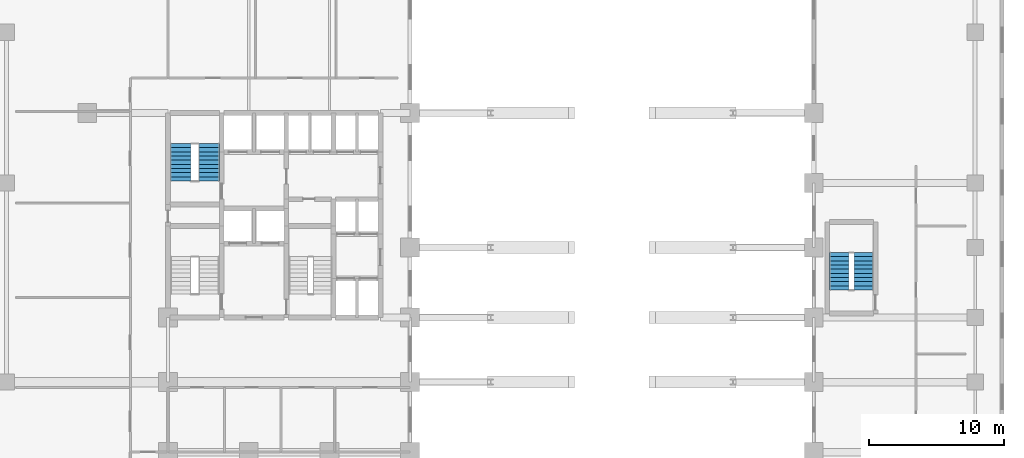
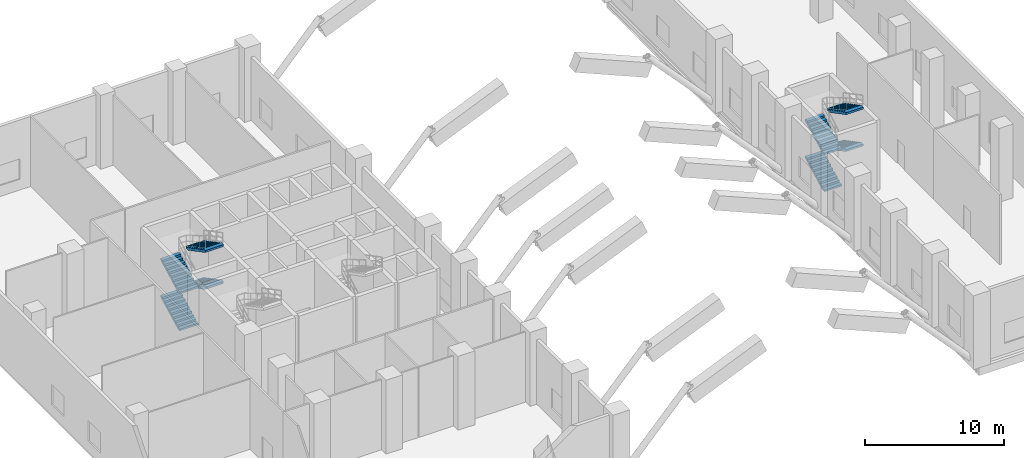
# One storey, part 8 of 10: 8 stair flights, 2 elements without a shape of their own.
"""IFC4 building model written with IfcOpenShell, lengths in metres."""

from ifc_helpers import new_model, si_unit, direction, frame, origin, place, context, subcontext, project, spatial, polyline, outline, extrude, material, type_object, element, aggregate, save


model = new_model("IFC4")

# Units and contexts
model_context = context("Model", 3, precision=1e-05, world=origin(), true_north=direction((0.0, 1.0)))
body_context = subcontext(model_context, "Body", "Model", "MODEL_VIEW")
ifc_project = project(units=[si_unit("LENGTHUNIT", "METRE"), si_unit("AREAUNIT", "SQUARE_METRE"), si_unit("VOLUMEUNIT", "CUBIC_METRE"), si_unit("PLANEANGLEUNIT", "RADIAN"), si_unit("MASSUNIT", "GRAM", prefix="KILO")], contexts=[model_context])

# Site, building, storey
site_placement = place(None, origin())
site = spatial("IfcSite", under=ifc_project, at=site_placement, CompositionType="ELEMENT")
building_placement = place(site_placement, origin())
building = spatial("IfcBuilding", under=site, at=building_placement, Name="Keshet Zoharim Tower", CompositionType="ELEMENT")
storey_placement = place(building_placement, frame((0.0, 0.0, 6.5)))
storey = spatial("IfcBuildingStorey", under=building, at=storey_placement, Name="L01", CompositionType="ELEMENT", Elevation=6.5)

# Stair, stair flights
ifc_material = material(Name="Concrete C50/60", Category="concrete")
stair_type = type_object("IfcStairType", Name="STR-POD-135", PredefinedType="HALF_TURN_STAIR", material=ifc_material)
stair_1_placement = place(storey_placement, origin())
stair_1 = element("IfcStair", 1, at=stair_1_placement, inside=storey, type_object=stair_type, Name="L01 Enclosed Exit Stair ST-02", PredefinedType="HALF_TURN_STAIR")
stair_flight_type_1 = type_object("IfcStairFlightType", Name="FLT-PRE-135", PredefinedType="STRAIGHT", material=ifc_material)
stair_flight_1_placement = place(storey_placement, frame((15.945068359375, 32.840087890625, 0.0), z_axis=(0.0, 0.0, 1.0), x_axis=(0.0, 1.0, 0.0)))
stair_flight_1 = element("IfcStairFlight", 2, at=stair_flight_1_placement, type_object=stair_flight_type_1, Name="ST-02 flight 1", NumberOfRisers=10, NumberOfTreads=9, PredefinedType="STRAIGHT", RiserHeight=0.1625, TreadLength=0.31, context=body_context, shape_type="SweptSolid", body=[
    extrude(outline(polyline([(0.0, 0.0), (0.0, 0.16259765625), (0.31005859375, 0.16259765625), (0.31005859375, 0.324951171875), (0.6201171875, 0.324951171875), (0.6201171875, 0.487548828125), (0.929931640625, 0.487548828125), (0.929931640625, 0.64990234375), (1.239990234375, 0.64990234375), (1.239990234375, 0.8125), (1.550048828125, 0.8125), (1.550048828125, 0.97509765625), (1.860107421875, 0.97509765625), (1.860107421875, 1.137451171875), (2.169921875, 1.137451171875), (2.169921875, 1.300048828125), (2.47998046875, 1.300048828125), (2.47998046875, 1.46240234375), (2.7900390625, 1.46240234375), (2.7900390625, 1.625), (2.7900390625, 1.281982421875), (0.344482421875, 0.0), (0.0, 0.0)])), frame((0.0, 0.76513671875, 0.0), z_axis=(0.0, -1.0, 0.0), x_axis=(1.0, 0.0, 0.0)), (0.0, 0.0, 1.0), 1.530029296875),
])
stair_flight_2_placement = place(storey_placement, frame((18.054931640625, 35.6298828125, 1.625), z_axis=(0.0, 0.0, 1.0), x_axis=(0.0, -1.0, 0.0)))
stair_flight_2 = element("IfcStairFlight", 3, at=stair_flight_2_placement, type_object=stair_flight_type_1, Name="ST-02 flight 2", NumberOfRisers=10, NumberOfTreads=9, PredefinedType="STRAIGHT", RiserHeight=0.1625, TreadLength=0.31, context=body_context, shape_type="SweptSolid", body=[
    extrude(outline(polyline([(0.0, 0.0), (0.0, 0.16259765625), (0.31005859375, 0.16259765625), (0.31005859375, 0.324951171875), (0.6201171875, 0.324951171875), (0.6201171875, 0.487548828125), (0.929931640625, 0.487548828125), (0.929931640625, 0.64990234375), (1.239990234375, 0.64990234375), (1.239990234375, 0.8125), (1.550048828125, 0.8125), (1.550048828125, 0.97509765625), (1.860107421875, 0.97509765625), (1.860107421875, 1.137451171875), (2.169921875, 1.137451171875), (2.169921875, 1.300048828125), (2.47998046875, 1.300048828125), (2.47998046875, 1.46240234375), (2.7900390625, 1.46240234375), (2.7900390625, 1.625), (2.7900390625, 1.281982421875), (0.344482421875, 0.0), (0.0, 0.0)])), frame((0.0, 0.76513671875, 0.0), z_axis=(0.0, -1.0, 0.0), x_axis=(1.0, 0.0, 0.0)), (0.0, 0.0, 1.0), 1.530029296875),
])
stair_flight_3_placement = place(storey_placement, frame((15.945068359375, 32.840087890625, 3.25), z_axis=(0.0, 0.0, 1.0), x_axis=(0.0, 1.0, 0.0)))
stair_flight_3 = element("IfcStairFlight", 4, at=stair_flight_3_placement, type_object=stair_flight_type_1, Name="ST-02 flight 3", NumberOfRisers=10, NumberOfTreads=9, PredefinedType="STRAIGHT", RiserHeight=0.1625, TreadLength=0.31, context=body_context, shape_type="SweptSolid", body=[
    extrude(outline(polyline([(0.0, 0.0), (0.0, 0.16259765625), (0.31005859375, 0.16259765625), (0.31005859375, 0.324951171875), (0.6201171875, 0.324951171875), (0.6201171875, 0.487548828125), (0.929931640625, 0.487548828125), (0.929931640625, 0.64990234375), (1.239990234375, 0.64990234375), (1.239990234375, 0.8125), (1.550048828125, 0.8125), (1.550048828125, 0.97509765625), (1.860107421875, 0.97509765625), (1.860107421875, 1.137451171875), (2.169921875, 1.137451171875), (2.169921875, 1.300048828125), (2.47998046875, 1.300048828125), (2.47998046875, 1.46240234375), (2.7900390625, 1.46240234375), (2.7900390625, 1.625), (2.7900390625, 1.281982421875), (0.344482421875, 0.0), (0.0, 0.0)])), frame((0.0, 0.76513671875, 0.0), z_axis=(0.0, -1.0, 0.0), x_axis=(1.0, 0.0, 0.0)), (0.0, 0.0, 1.0), 1.530029296875),
])
stair_flight_4_placement = place(storey_placement, frame((18.054931640625, 35.6298828125, 4.875), z_axis=(0.0, 0.0, 1.0), x_axis=(0.0, -1.0, 0.0)))
stair_flight_4 = element("IfcStairFlight", 5, at=stair_flight_4_placement, type_object=stair_flight_type_1, Name="ST-02 flight 4", NumberOfRisers=10, NumberOfTreads=9, PredefinedType="STRAIGHT", RiserHeight=0.1625, TreadLength=0.31, context=body_context, shape_type="SweptSolid", body=[
    extrude(outline(polyline([(0.0, 0.0), (0.0, 0.16259765625), (0.31005859375, 0.16259765625), (0.31005859375, 0.324951171875), (0.6201171875, 0.324951171875), (0.6201171875, 0.487548828125), (0.929931640625, 0.487548828125), (0.929931640625, 0.64990234375), (1.239990234375, 0.64990234375), (1.239990234375, 0.8125), (1.550048828125, 0.8125), (1.550048828125, 0.97509765625), (1.860107421875, 0.97509765625), (1.860107421875, 1.137451171875), (2.169921875, 1.137451171875), (2.169921875, 1.300048828125), (2.47998046875, 1.300048828125), (2.47998046875, 1.46240234375), (2.7900390625, 1.46240234375), (2.7900390625, 1.625), (2.7900390625, 1.281982421875), (0.344482421875, 0.0), (0.0, 0.0)])), frame((0.0, 0.76513671875, 0.0), z_axis=(0.0, -1.0, 0.0), x_axis=(1.0, 0.0, 0.0)), (0.0, 0.0, 1.0), 1.530029296875),
])
aggregate(stair_1, [stair_flight_1, stair_flight_2, stair_flight_3, stair_flight_4])

stair_2_placement = place(storey_placement, origin())
stair_2 = element("IfcStair", 6, at=stair_2_placement, inside=storey, type_object=stair_type, Name="L01 Enclosed Exit Stair ST-04", PredefinedType="HALF_TURN_STAIR")
stair_flight_type_2 = type_object("IfcStairFlightType", Name="FLT-PRE-144", PredefinedType="STRAIGHT", material=ifc_material)
stair_flight_5_placement = place(storey_placement, frame((64.89990234375, 24.739990234375, 0.0), z_axis=(0.0, 0.0, 1.0), x_axis=(0.0, 1.0, 0.0)))
stair_flight_5 = element("IfcStairFlight", 7, at=stair_flight_5_placement, type_object=stair_flight_type_2, Name="ST-04 flight 1", NumberOfRisers=10, NumberOfTreads=9, PredefinedType="STRAIGHT", RiserHeight=0.1625, TreadLength=0.31, context=body_context, shape_type="SweptSolid", body=[
    extrude(outline(polyline([(0.0, 0.0), (0.0, 0.16259765625), (0.31005859375, 0.16259765625), (0.31005859375, 0.324951171875), (0.6201171875, 0.324951171875), (0.6201171875, 0.487548828125), (0.929931640625, 0.487548828125), (0.929931640625, 0.64990234375), (1.239990234375, 0.64990234375), (1.239990234375, 0.8125), (1.550048828125, 0.8125), (1.550048828125, 0.97509765625), (1.860107421875, 0.97509765625), (1.860107421875, 1.137451171875), (2.169921875, 1.137451171875), (2.169921875, 1.300048828125), (2.47998046875, 1.300048828125), (2.47998046875, 1.46240234375), (2.7900390625, 1.46240234375), (2.7900390625, 1.625), (2.7900390625, 1.281982421875), (0.344482421875, 0.0), (0.0, 0.0)])), frame((0.0, 0.719970703125, 0.0), z_axis=(0.0, -1.0, 0.0), x_axis=(1.0, 0.0, 0.0)), (0.0, 0.0, 1.0), 1.43994140625),
])
stair_flight_6_placement = place(storey_placement, frame((66.699951171875, 27.530029296875, 1.625), z_axis=(0.0, 0.0, 1.0), x_axis=(0.0, -1.0, 0.0)))
stair_flight_6 = element("IfcStairFlight", 8, at=stair_flight_6_placement, type_object=stair_flight_type_2, Name="ST-04 flight 2", NumberOfRisers=10, NumberOfTreads=9, PredefinedType="STRAIGHT", RiserHeight=0.1625, TreadLength=0.31, context=body_context, shape_type="SweptSolid", body=[
    extrude(outline(polyline([(0.0, 0.0), (0.0, 0.16259765625), (0.31005859375, 0.16259765625), (0.31005859375, 0.324951171875), (0.6201171875, 0.324951171875), (0.6201171875, 0.487548828125), (0.929931640625, 0.487548828125), (0.929931640625, 0.64990234375), (1.239990234375, 0.64990234375), (1.239990234375, 0.8125), (1.550048828125, 0.8125), (1.550048828125, 0.97509765625), (1.860107421875, 0.97509765625), (1.860107421875, 1.137451171875), (2.169921875, 1.137451171875), (2.169921875, 1.300048828125), (2.47998046875, 1.300048828125), (2.47998046875, 1.46240234375), (2.7900390625, 1.46240234375), (2.7900390625, 1.625), (2.7900390625, 1.281982421875), (0.344482421875, 0.0), (0.0, 0.0)])), frame((0.0, 0.719970703125, 0.0), z_axis=(0.0, -1.0, 0.0), x_axis=(1.0, 0.0, 0.0)), (0.0, 0.0, 1.0), 1.43994140625),
])
stair_flight_7_placement = place(storey_placement, frame((64.89990234375, 24.739990234375, 3.25), z_axis=(0.0, 0.0, 1.0), x_axis=(0.0, 1.0, 0.0)))
stair_flight_7 = element("IfcStairFlight", 9, at=stair_flight_7_placement, type_object=stair_flight_type_2, Name="ST-04 flight 3", NumberOfRisers=10, NumberOfTreads=9, PredefinedType="STRAIGHT", RiserHeight=0.1625, TreadLength=0.31, context=body_context, shape_type="SweptSolid", body=[
    extrude(outline(polyline([(0.0, 0.0), (0.0, 0.16259765625), (0.31005859375, 0.16259765625), (0.31005859375, 0.324951171875), (0.6201171875, 0.324951171875), (0.6201171875, 0.487548828125), (0.929931640625, 0.487548828125), (0.929931640625, 0.64990234375), (1.239990234375, 0.64990234375), (1.239990234375, 0.8125), (1.550048828125, 0.8125), (1.550048828125, 0.97509765625), (1.860107421875, 0.97509765625), (1.860107421875, 1.137451171875), (2.169921875, 1.137451171875), (2.169921875, 1.300048828125), (2.47998046875, 1.300048828125), (2.47998046875, 1.46240234375), (2.7900390625, 1.46240234375), (2.7900390625, 1.625), (2.7900390625, 1.281982421875), (0.344482421875, 0.0), (0.0, 0.0)])), frame((0.0, 0.719970703125, 0.0), z_axis=(0.0, -1.0, 0.0), x_axis=(1.0, 0.0, 0.0)), (0.0, 0.0, 1.0), 1.43994140625),
])
stair_flight_8_placement = place(storey_placement, frame((66.699951171875, 27.530029296875, 4.875), z_axis=(0.0, 0.0, 1.0), x_axis=(0.0, -1.0, 0.0)))
stair_flight_8 = element("IfcStairFlight", 10, at=stair_flight_8_placement, type_object=stair_flight_type_2, Name="ST-04 flight 4", NumberOfRisers=10, NumberOfTreads=9, PredefinedType="STRAIGHT", RiserHeight=0.1625, TreadLength=0.31, context=body_context, shape_type="SweptSolid", body=[
    extrude(outline(polyline([(0.0, 0.0), (0.0, 0.16259765625), (0.31005859375, 0.16259765625), (0.31005859375, 0.324951171875), (0.6201171875, 0.324951171875), (0.6201171875, 0.487548828125), (0.929931640625, 0.487548828125), (0.929931640625, 0.64990234375), (1.239990234375, 0.64990234375), (1.239990234375, 0.8125), (1.550048828125, 0.8125), (1.550048828125, 0.97509765625), (1.860107421875, 0.97509765625), (1.860107421875, 1.137451171875), (2.169921875, 1.137451171875), (2.169921875, 1.300048828125), (2.47998046875, 1.300048828125), (2.47998046875, 1.46240234375), (2.7900390625, 1.46240234375), (2.7900390625, 1.625), (2.7900390625, 1.281982421875), (0.344482421875, 0.0), (0.0, 0.0)])), frame((0.0, 0.719970703125, 0.0), z_axis=(0.0, -1.0, 0.0), x_axis=(1.0, 0.0, 0.0)), (0.0, 0.0, 1.0), 1.43994140625),
])
aggregate(stair_2, [stair_flight_5, stair_flight_6, stair_flight_7, stair_flight_8])

save(model, "model.ifc")
